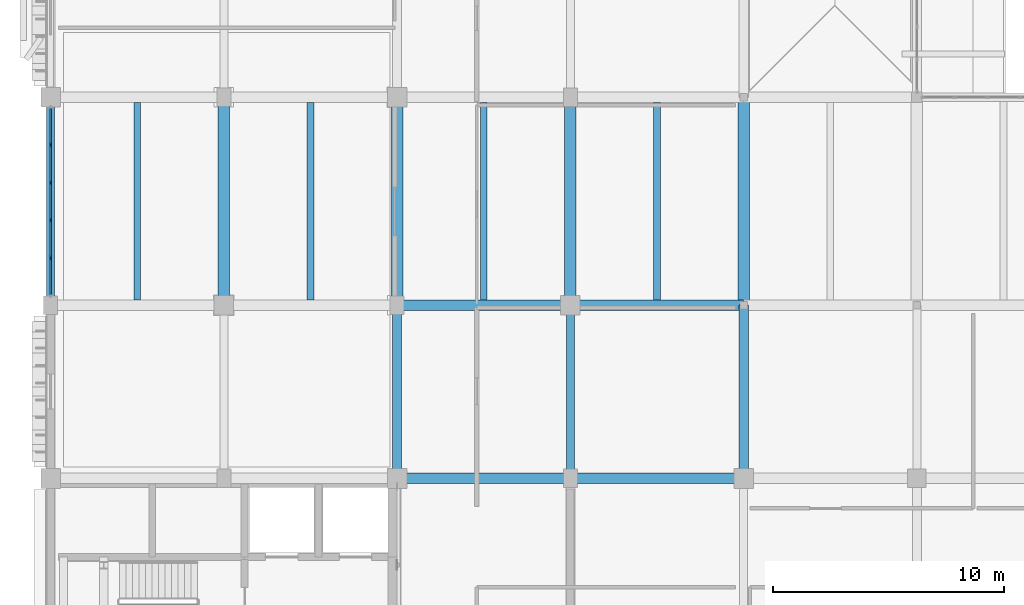
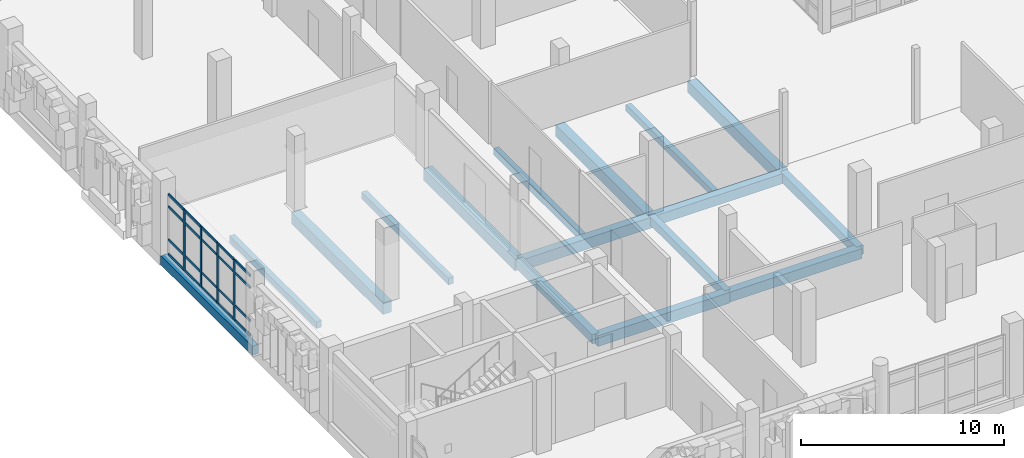
# One storey, part 15 of 128: 24 members, 16 beams, 1 element without a shape of its own.
"""IFC4 building model written with IfcOpenShell, lengths in metres."""

from ifc_helpers import new_model, si_unit, direction, frame, origin, origin_2d, place, context, subcontext, project, spatial, rectangle, extrude, material, layer, layer_set, material_profile, profile_set, type_object, element, aggregate, save


model = new_model("IFC4")

# Units and contexts
model_context = context("Model", 3, precision=1e-05, world=origin(), true_north=direction((0.0, 1.0)))
body_context = subcontext(model_context, "Body", "Model", "MODEL_VIEW")
ifc_project = project(units=[si_unit("LENGTHUNIT", "METRE"), si_unit("AREAUNIT", "SQUARE_METRE"), si_unit("VOLUMEUNIT", "CUBIC_METRE"), si_unit("PLANEANGLEUNIT", "RADIAN"), si_unit("MASSUNIT", "GRAM", prefix="KILO")], contexts=[model_context])

# Site, building, storey
site_placement = place(None, origin())
site = spatial("IfcSite", under=ifc_project, at=site_placement, CompositionType="ELEMENT")
building_placement = place(site_placement, origin())
building = spatial("IfcBuilding", under=site, at=building_placement, Name="Dalvernix Boulevard General Hospital", CompositionType="ELEMENT")
storey_placement = place(building_placement, frame((0.0, 0.0, 4.800048828125)))
storey = spatial("IfcBuildingStorey", under=building, at=storey_placement, Name="L01", CompositionType="ELEMENT", Elevation=4.800048828125)

# Beams
ifc_material_1 = material(Name="Concrete C35/45", Category="concrete")
ifc_material_profile_1 = material_profile(ifc_material_1, rectangle(XDim=0.5, YDim=0.699951171875, at=origin_2d()), Name="RCB 500x700")
ifc_profile_set_1 = profile_set([ifc_material_profile_1], Name="Concrete C35/45")
beam_type_1 = type_object("IfcBeamType", Name="BM-B-01-I", PredefinedType="BEAM", material=ifc_profile_set_1)
for number, where, z_axis, x_axis, name in (
    (1, (7.5, 22.5, -0.650146484375), (0.0, 1.0, 0.0), (-1.0, 0.0, 0.0), "L01 N-S girder 2:D-E"),
    (2, (15.0, 22.5, -0.650146484375), (0.0, 1.0, 0.0), (-1.0, 0.0, 0.0), "L01 N-S girder 3:D-E"),
    (3, (22.5, 22.5, -0.650146484375), (0.0, 1.0, 0.0), (-1.0, 0.0, 0.0), "L01 N-S girder 4:D-E"),
    (4, (30.0, 22.5, -0.650146484375), (0.0, 1.0, 0.0), (-1.0, 0.0, 0.0), "L01 N-S girder 5:D-E"),
):
    element("IfcBeam", number, at=place(storey_placement, frame(where, z_axis=z_axis, x_axis=x_axis)), inside=storey, type_object=beam_type_1, Name=name, PredefinedType="BEAM", context=body_context, shape_type="SweptSolid", body=[
        extrude(rectangle(XDim=0.5, YDim=0.699951171875, at=origin_2d()), origin(), (0.0, 0.0, 1.0), 9.0),
    ])
ifc_material_profile_2 = material_profile(ifc_material_1, rectangle(XDim=0.449951171875, YDim=0.64990234375, at=origin_2d()), Name="RCB 450x650")
ifc_profile_set_2 = profile_set([ifc_material_profile_2], Name="Concrete C35/45")
beam_type_2 = type_object("IfcBeamType", Name="BM-B-03-I", PredefinedType="BEAM", material=ifc_profile_set_2)
for number, where, z_axis, x_axis, name in (
    (5, (15.0, 15.0, -0.625), (1.0, 0.0, 0.0), (0.0, 1.0, 0.0), "L01 E-W girder C:3-4"),
    (6, (15.0, 22.5, -0.625), (1.0, 0.0, 0.0), (0.0, 1.0, 0.0), "L01 E-W girder D:3-4"),
):
    element("IfcBeam", number, at=place(storey_placement, frame(where, z_axis=z_axis, x_axis=x_axis)), inside=storey, type_object=beam_type_2, Name=name, PredefinedType="BEAM", context=body_context, shape_type="SweptSolid", body=[
        extrude(rectangle(XDim=0.449951171875, YDim=0.64990234375, at=origin_2d()), origin(), (0.0, 0.0, 1.0), 7.5),
    ])
ifc_material_profile_3 = material_profile(ifc_material_1, rectangle(XDim=0.449951171875, YDim=0.60009765625, at=origin_2d()), Name="RCB 450x600")
ifc_profile_set_3 = profile_set([ifc_material_profile_3], Name="Concrete C35/45")
beam_type_3 = type_object("IfcBeamType", Name="BM-B-04-I", PredefinedType="BEAM", material=ifc_profile_set_3)
for number, where, z_axis, x_axis, name in (
    (7, (22.5, 15.0, -0.60009765625), (1.0, 0.0, 0.0), (0.0, 1.0, 0.0), "L01 E-W girder C:4-5"),
    (8, (22.5, 22.5, -0.60009765625), (1.0, 0.0, 0.0), (0.0, 1.0, 0.0), "L01 E-W girder D:4-5"),
):
    element("IfcBeam", number, at=place(storey_placement, frame(where, z_axis=z_axis, x_axis=x_axis)), inside=storey, type_object=beam_type_3, Name=name, PredefinedType="BEAM", context=body_context, shape_type="SweptSolid", body=[
        extrude(rectangle(XDim=0.449951171875, YDim=0.60009765625, at=origin_2d()), origin(), (0.0, 0.0, 1.0), 7.5),
    ])
ifc_material_profile_4 = material_profile(ifc_material_1, rectangle(XDim=0.39990234375, YDim=0.550048828125, at=origin_2d()), Name="RCB 400x550")
ifc_profile_set_4 = profile_set([ifc_material_profile_4], Name="Concrete C35/45")
beam_type_4 = type_object("IfcBeamType", Name="BM-B-06-I", PredefinedType="BEAM", material=ifc_profile_set_4)
for number, where, z_axis, x_axis, name in (
    (9, (15.0, 15.0, -0.574951171875), (0.0, 1.0, 0.0), (-1.0, 0.0, 0.0), "L01 N-S girder 3:C-D"),
    (10, (30.0, 15.0, -0.574951171875), (0.0, 1.0, 0.0), (-1.0, 0.0, 0.0), "L01 N-S girder 5:C-D"),
):
    element("IfcBeam", number, at=place(storey_placement, frame(where, z_axis=z_axis, x_axis=x_axis)), inside=storey, type_object=beam_type_4, Name=name, PredefinedType="BEAM", context=body_context, shape_type="SweptSolid", body=[
        extrude(rectangle(XDim=0.39990234375, YDim=0.550048828125, at=origin_2d()), origin(), (0.0, 0.0, 1.0), 7.5),
    ])
ifc_material_profile_5 = material_profile(ifc_material_1, rectangle(XDim=0.35009765625, YDim=0.5, at=origin_2d()), Name="RCB 350x500")
ifc_profile_set_5 = profile_set([ifc_material_profile_5], Name="Concrete C35/45")
beam_type_5 = type_object("IfcBeamType", Name="BM-B-08-I", PredefinedType="BEAM", material=ifc_profile_set_5)
beam_1_placement = place(storey_placement, frame((22.5, 15.0, -0.550048828125), z_axis=(0.0, 1.0, 0.0), x_axis=(-1.0, 0.0, 0.0)))
element("IfcBeam", 11, at=beam_1_placement, inside=storey, type_object=beam_type_5, Name="L01 N-S girder 4:C-D", PredefinedType="BEAM", context=body_context, shape_type="SweptSolid", body=[
    extrude(rectangle(XDim=0.35009765625, YDim=0.5, at=origin_2d()), origin(), (0.0, 0.0, 1.0), 7.5),
])
ifc_material_profile_6 = material_profile(ifc_material_1, rectangle(XDim=0.300048828125, YDim=0.39990234375, at=origin_2d()), Name="RCB 300x400")
ifc_profile_set_6 = profile_set([ifc_material_profile_6], Name="Concrete C35/45")
beam_type_6 = type_object("IfcBeamType", Name="BM-JB-01", PredefinedType="JOIST", material=ifc_profile_set_6)
for number, where, z_axis, x_axis, name in (
    (12, (3.75, 22.72509765625, -0.5), (0.0, 1.0, 0.0), (-1.0, 0.0, 0.0), "L01 secondary floor beam 1-D"),
    (13, (11.25, 22.72509765625, -0.5), (0.0, 1.0, 0.0), (-1.0, 0.0, 0.0), "L01 secondary floor beam 2-D"),
    (14, (18.75, 22.72509765625, -0.5), (0.0, 1.0, 0.0), (-1.0, 0.0, 0.0), "L01 secondary floor beam 3-D"),
    (15, (26.25, 22.72509765625, -0.5), (0.0, 1.0, 0.0), (-1.0, 0.0, 0.0), "L01 secondary floor beam 4-D"),
):
    element("IfcBeam", number, at=place(storey_placement, frame(where, z_axis=z_axis, x_axis=x_axis)), inside=storey, type_object=beam_type_6, Name=name, PredefinedType="JOIST", context=body_context, shape_type="SweptSolid", body=[
        extrude(rectangle(XDim=0.300048828125, YDim=0.39990234375, at=origin_2d()), origin(), (0.0, 0.0, 1.0), 8.5498046875),
    ])
ifc_material_profile_7 = material_profile(ifc_material_1, rectangle(XDim=0.35009765625, YDim=0.550048828125, at=origin_2d()), Name="RCB 350x550")
ifc_profile_set_7 = profile_set([ifc_material_profile_7], Name="Concrete C35/45")
beam_type_7 = type_object("IfcBeamType", Name="BM-SB-01-E", PredefinedType="SPANDREL", material=ifc_profile_set_7)
beam_2_placement = place(storey_placement, frame((0.0, 22.5, -0.574951171875), z_axis=(0.0, 1.0, 0.0), x_axis=(-1.0, 0.0, 0.0)))
element("IfcBeam", 16, at=beam_2_placement, inside=storey, type_object=beam_type_7, Name="L01 N-S girder 1:D-E", PredefinedType="SPANDREL", context=body_context, shape_type="SweptSolid", body=[
    extrude(rectangle(XDim=0.35009765625, YDim=0.550048828125, at=origin_2d()), origin(), (0.0, 0.0, 1.0), 9.0),
])

# Curtain wall, members
ifc_material_2 = material(Name="Thermally broken aluminium and solar-control glass curtain wall", Category="aluminium")
ifc_layer = layer(ifc_material_2, 0.179931640625)
ifc_layer_set = layer_set([ifc_layer], Name="Thermally broken aluminium and solar-control glass curtain wall (CW-CW-B-82x36)")
curtain_wall_type = type_object("IfcCurtainWallType", Name="CW-CW-B-82x36", PredefinedType="USERDEFINED", material=ifc_layer_set)
curtain_wall_placement = place(storey_placement, origin())
curtain_wall = element("IfcCurtainWall", 17, at=curtain_wall_placement, inside=storey, type_object=curtain_wall_type, Name="L01 curtain wall CW-B-82x36 0-3", ObjectType="GLAZED FACADE", PredefinedType="USERDEFINED")
ifc_material_3 = material(Name="Aluminium EN AW-6060", Category="aluminium")
ifc_material_profile_8 = material_profile(ifc_material_3, rectangle(XDim=0.06494140625, YDim=0.179931640625, at=origin_2d()), Name="ALU MULL 65x180")
ifc_profile_set_8 = profile_set([ifc_material_profile_8], Name="Aluminium EN AW-6060")
member_type_1 = type_object("IfcMemberType", Name="MEM-CW-M2", PredefinedType="MULLION", material=ifc_profile_set_8)
member_1_placement = place(storey_placement, frame((0.0, 24.541015625, 0.0), z_axis=(0.0, 0.0, 1.0), x_axis=(-1.0, 0.0, 0.0)))
member_1 = element("IfcMember", 18, at=member_1_placement, type_object=member_type_1, Name="CW-B-82x36 mullion 2", PredefinedType="MULLION", context=body_context, shape_type="SweptSolid", body=[
    extrude(rectangle(XDim=0.06494140625, YDim=0.179931640625, at=origin_2d()), origin(), (0.0, 0.0, 1.0), 3.6298828125),
])
member_2_placement = place(storey_placement, frame((0.0, 26.172119140625, 0.0), z_axis=(0.0, 0.0, 1.0), x_axis=(-1.0, 0.0, 0.0)))
member_2 = element("IfcMember", 19, at=member_2_placement, type_object=member_type_1, Name="CW-B-82x36 mullion 3", PredefinedType="MULLION", context=body_context, shape_type="SweptSolid", body=[
    extrude(rectangle(XDim=0.06494140625, YDim=0.179931640625, at=origin_2d()), origin(), (0.0, 0.0, 1.0), 3.6298828125),
])
member_3_placement = place(storey_placement, frame((0.0, 27.802978515625, 0.0), z_axis=(0.0, 0.0, 1.0), x_axis=(-1.0, 0.0, 0.0)))
member_3 = element("IfcMember", 20, at=member_3_placement, type_object=member_type_1, Name="CW-B-82x36 mullion 4", PredefinedType="MULLION", context=body_context, shape_type="SweptSolid", body=[
    extrude(rectangle(XDim=0.06494140625, YDim=0.179931640625, at=origin_2d()), origin(), (0.0, 0.0, 1.0), 3.6298828125),
])
member_4_placement = place(storey_placement, frame((0.0, 29.43408203125, 0.0), z_axis=(0.0, 0.0, 1.0), x_axis=(-1.0, 0.0, 0.0)))
member_4 = element("IfcMember", 21, at=member_4_placement, type_object=member_type_1, Name="CW-B-82x36 mullion 5", PredefinedType="MULLION", context=body_context, shape_type="SweptSolid", body=[
    extrude(rectangle(XDim=0.06494140625, YDim=0.179931640625, at=origin_2d()), origin(), (0.0, 0.0, 1.0), 3.6298828125),
])
ifc_material_profile_9 = material_profile(ifc_material_3, rectangle(XDim=0.06494140625, YDim=0.139892578125, at=origin_2d()), Name="ALU TRAN 65x140")
ifc_profile_set_9 = profile_set([ifc_material_profile_9], Name="Aluminium EN AW-6060")
member_type_2 = type_object("IfcMemberType", Name="MEM-CW-T2", PredefinedType="USERDEFINED", material=ifc_profile_set_9)
member_5_placement = place(storey_placement, frame((0.0, 22.97509765625, 0.032470703125), z_axis=(0.0, 1.0, 0.0), x_axis=(-1.0, 0.0, 0.0)))
member_5 = element("IfcMember", 22, at=member_5_placement, type_object=member_type_2, Name="CW-B-82x36 transom 1.1", ObjectType="TRANSOM", PredefinedType="USERDEFINED", context=body_context, shape_type="SweptSolid", body=[
    extrude(rectangle(XDim=0.06494140625, YDim=0.139892578125, at=origin_2d()), origin(), (0.0, 0.0, 1.0), 1.533447265625),
])
member_6_placement = place(storey_placement, frame((0.0, 22.97509765625, 0.89990234375), z_axis=(0.0, 1.0, 0.0), x_axis=(-1.0, 0.0, 0.0)))
member_6 = element("IfcMember", 23, at=member_6_placement, type_object=member_type_2, Name="CW-B-82x36 transom 1.2", ObjectType="TRANSOM", PredefinedType="USERDEFINED", context=body_context, shape_type="SweptSolid", body=[
    extrude(rectangle(XDim=0.06494140625, YDim=0.139892578125, at=origin_2d()), origin(), (0.0, 0.0, 1.0), 1.533447265625),
])
member_7_placement = place(storey_placement, frame((0.0, 22.97509765625, 2.8798828125), z_axis=(0.0, 1.0, 0.0), x_axis=(-1.0, 0.0, 0.0)))
member_7 = element("IfcMember", 24, at=member_7_placement, type_object=member_type_2, Name="CW-B-82x36 transom 1.3", ObjectType="TRANSOM", PredefinedType="USERDEFINED", context=body_context, shape_type="SweptSolid", body=[
    extrude(rectangle(XDim=0.06494140625, YDim=0.139892578125, at=origin_2d()), origin(), (0.0, 0.0, 1.0), 1.533447265625),
])
member_8_placement = place(storey_placement, frame((0.0, 22.97509765625, 3.597412109375), z_axis=(0.0, 1.0, 0.0), x_axis=(-1.0, 0.0, 0.0)))
member_8 = element("IfcMember", 25, at=member_8_placement, type_object=member_type_2, Name="CW-B-82x36 transom 1.4", ObjectType="TRANSOM", PredefinedType="USERDEFINED", context=body_context, shape_type="SweptSolid", body=[
    extrude(rectangle(XDim=0.06494140625, YDim=0.139892578125, at=origin_2d()), origin(), (0.0, 0.0, 1.0), 1.533447265625),
])
member_9_placement = place(storey_placement, frame((0.0, 24.573486328125, 0.032470703125), z_axis=(0.0, 1.0, 0.0), x_axis=(-1.0, 0.0, 0.0)))
member_9 = element("IfcMember", 26, at=member_9_placement, type_object=member_type_2, Name="CW-B-82x36 transom 2.1", ObjectType="TRANSOM", PredefinedType="USERDEFINED", context=body_context, shape_type="SweptSolid", body=[
    extrude(rectangle(XDim=0.06494140625, YDim=0.139892578125, at=origin_2d()), origin(), (0.0, 0.0, 1.0), 1.56591796875),
])
member_10_placement = place(storey_placement, frame((0.0, 24.573486328125, 0.89990234375), z_axis=(0.0, 1.0, 0.0), x_axis=(-1.0, 0.0, 0.0)))
member_10 = element("IfcMember", 27, at=member_10_placement, type_object=member_type_2, Name="CW-B-82x36 transom 2.2", ObjectType="TRANSOM", PredefinedType="USERDEFINED", context=body_context, shape_type="SweptSolid", body=[
    extrude(rectangle(XDim=0.06494140625, YDim=0.139892578125, at=origin_2d()), origin(), (0.0, 0.0, 1.0), 1.56591796875),
])
member_11_placement = place(storey_placement, frame((0.0, 24.573486328125, 2.8798828125), z_axis=(0.0, 1.0, 0.0), x_axis=(-1.0, 0.0, 0.0)))
member_11 = element("IfcMember", 28, at=member_11_placement, type_object=member_type_2, Name="CW-B-82x36 transom 2.3", ObjectType="TRANSOM", PredefinedType="USERDEFINED", context=body_context, shape_type="SweptSolid", body=[
    extrude(rectangle(XDim=0.06494140625, YDim=0.139892578125, at=origin_2d()), origin(), (0.0, 0.0, 1.0), 1.56591796875),
])
member_12_placement = place(storey_placement, frame((0.0, 24.573486328125, 3.597412109375), z_axis=(0.0, 1.0, 0.0), x_axis=(-1.0, 0.0, 0.0)))
member_12 = element("IfcMember", 29, at=member_12_placement, type_object=member_type_2, Name="CW-B-82x36 transom 2.4", ObjectType="TRANSOM", PredefinedType="USERDEFINED", context=body_context, shape_type="SweptSolid", body=[
    extrude(rectangle(XDim=0.06494140625, YDim=0.139892578125, at=origin_2d()), origin(), (0.0, 0.0, 1.0), 1.56591796875),
])
member_13_placement = place(storey_placement, frame((0.0, 26.20458984375, 0.032470703125), z_axis=(0.0, 1.0, 0.0), x_axis=(-1.0, 0.0, 0.0)))
member_13 = element("IfcMember", 30, at=member_13_placement, type_object=member_type_2, Name="CW-B-82x36 transom 3.1", ObjectType="TRANSOM", PredefinedType="USERDEFINED", context=body_context, shape_type="SweptSolid", body=[
    extrude(rectangle(XDim=0.06494140625, YDim=0.139892578125, at=origin_2d()), origin(), (0.0, 0.0, 1.0), 1.56591796875),
])
member_14_placement = place(storey_placement, frame((0.0, 26.20458984375, 0.89990234375), z_axis=(0.0, 1.0, 0.0), x_axis=(-1.0, 0.0, 0.0)))
member_14 = element("IfcMember", 31, at=member_14_placement, type_object=member_type_2, Name="CW-B-82x36 transom 3.2", ObjectType="TRANSOM", PredefinedType="USERDEFINED", context=body_context, shape_type="SweptSolid", body=[
    extrude(rectangle(XDim=0.06494140625, YDim=0.139892578125, at=origin_2d()), origin(), (0.0, 0.0, 1.0), 1.56591796875),
])
member_15_placement = place(storey_placement, frame((0.0, 26.20458984375, 2.8798828125), z_axis=(0.0, 1.0, 0.0), x_axis=(-1.0, 0.0, 0.0)))
member_15 = element("IfcMember", 32, at=member_15_placement, type_object=member_type_2, Name="CW-B-82x36 transom 3.3", ObjectType="TRANSOM", PredefinedType="USERDEFINED", context=body_context, shape_type="SweptSolid", body=[
    extrude(rectangle(XDim=0.06494140625, YDim=0.139892578125, at=origin_2d()), origin(), (0.0, 0.0, 1.0), 1.56591796875),
])
member_16_placement = place(storey_placement, frame((0.0, 26.20458984375, 3.597412109375), z_axis=(0.0, 1.0, 0.0), x_axis=(-1.0, 0.0, 0.0)))
member_16 = element("IfcMember", 33, at=member_16_placement, type_object=member_type_2, Name="CW-B-82x36 transom 3.4", ObjectType="TRANSOM", PredefinedType="USERDEFINED", context=body_context, shape_type="SweptSolid", body=[
    extrude(rectangle(XDim=0.06494140625, YDim=0.139892578125, at=origin_2d()), origin(), (0.0, 0.0, 1.0), 1.56591796875),
])
member_17_placement = place(storey_placement, frame((0.0, 27.83544921875, 0.032470703125), z_axis=(0.0, 1.0, 0.0), x_axis=(-1.0, 0.0, 0.0)))
member_17 = element("IfcMember", 34, at=member_17_placement, type_object=member_type_2, Name="CW-B-82x36 transom 4.1", ObjectType="TRANSOM", PredefinedType="USERDEFINED", context=body_context, shape_type="SweptSolid", body=[
    extrude(rectangle(XDim=0.06494140625, YDim=0.139892578125, at=origin_2d()), origin(), (0.0, 0.0, 1.0), 1.566162109375),
])
member_18_placement = place(storey_placement, frame((0.0, 27.83544921875, 0.89990234375), z_axis=(0.0, 1.0, 0.0), x_axis=(-1.0, 0.0, 0.0)))
member_18 = element("IfcMember", 35, at=member_18_placement, type_object=member_type_2, Name="CW-B-82x36 transom 4.2", ObjectType="TRANSOM", PredefinedType="USERDEFINED", context=body_context, shape_type="SweptSolid", body=[
    extrude(rectangle(XDim=0.06494140625, YDim=0.139892578125, at=origin_2d()), origin(), (0.0, 0.0, 1.0), 1.566162109375),
])
member_19_placement = place(storey_placement, frame((0.0, 27.83544921875, 2.8798828125), z_axis=(0.0, 1.0, 0.0), x_axis=(-1.0, 0.0, 0.0)))
member_19 = element("IfcMember", 36, at=member_19_placement, type_object=member_type_2, Name="CW-B-82x36 transom 4.3", ObjectType="TRANSOM", PredefinedType="USERDEFINED", context=body_context, shape_type="SweptSolid", body=[
    extrude(rectangle(XDim=0.06494140625, YDim=0.139892578125, at=origin_2d()), origin(), (0.0, 0.0, 1.0), 1.566162109375),
])
member_20_placement = place(storey_placement, frame((0.0, 27.83544921875, 3.597412109375), z_axis=(0.0, 1.0, 0.0), x_axis=(-1.0, 0.0, 0.0)))
member_20 = element("IfcMember", 37, at=member_20_placement, type_object=member_type_2, Name="CW-B-82x36 transom 4.4", ObjectType="TRANSOM", PredefinedType="USERDEFINED", context=body_context, shape_type="SweptSolid", body=[
    extrude(rectangle(XDim=0.06494140625, YDim=0.139892578125, at=origin_2d()), origin(), (0.0, 0.0, 1.0), 1.566162109375),
])
member_21_placement = place(storey_placement, frame((0.0, 29.466552734375, 0.032470703125), z_axis=(0.0, 1.0, 0.0), x_axis=(-1.0, 0.0, 0.0)))
member_21 = element("IfcMember", 38, at=member_21_placement, type_object=member_type_2, Name="CW-B-82x36 transom 5.1", ObjectType="TRANSOM", PredefinedType="USERDEFINED", context=body_context, shape_type="SweptSolid", body=[
    extrude(rectangle(XDim=0.06494140625, YDim=0.139892578125, at=origin_2d()), origin(), (0.0, 0.0, 1.0), 1.533447265625),
])
member_22_placement = place(storey_placement, frame((0.0, 29.466552734375, 0.89990234375), z_axis=(0.0, 1.0, 0.0), x_axis=(-1.0, 0.0, 0.0)))
member_22 = element("IfcMember", 39, at=member_22_placement, type_object=member_type_2, Name="CW-B-82x36 transom 5.2", ObjectType="TRANSOM", PredefinedType="USERDEFINED", context=body_context, shape_type="SweptSolid", body=[
    extrude(rectangle(XDim=0.06494140625, YDim=0.139892578125, at=origin_2d()), origin(), (0.0, 0.0, 1.0), 1.533447265625),
])
member_23_placement = place(storey_placement, frame((0.0, 29.466552734375, 2.8798828125), z_axis=(0.0, 1.0, 0.0), x_axis=(-1.0, 0.0, 0.0)))
member_23 = element("IfcMember", 40, at=member_23_placement, type_object=member_type_2, Name="CW-B-82x36 transom 5.3", ObjectType="TRANSOM", PredefinedType="USERDEFINED", context=body_context, shape_type="SweptSolid", body=[
    extrude(rectangle(XDim=0.06494140625, YDim=0.139892578125, at=origin_2d()), origin(), (0.0, 0.0, 1.0), 1.533447265625),
])
member_24_placement = place(storey_placement, frame((0.0, 29.466552734375, 3.597412109375), z_axis=(0.0, 1.0, 0.0), x_axis=(-1.0, 0.0, 0.0)))
member_24 = element("IfcMember", 41, at=member_24_placement, type_object=member_type_2, Name="CW-B-82x36 transom 5.4", ObjectType="TRANSOM", PredefinedType="USERDEFINED", context=body_context, shape_type="SweptSolid", body=[
    extrude(rectangle(XDim=0.06494140625, YDim=0.139892578125, at=origin_2d()), origin(), (0.0, 0.0, 1.0), 1.533447265625),
])
aggregate(curtain_wall, [member_1, member_2, member_3, member_4, member_5, member_6, member_7, member_8, member_9, member_10, member_11, member_12, member_13, member_14, member_15, member_16, member_17, member_18, member_19, member_20, member_21, member_22, member_23, member_24])

save(model, "model.ifc")
